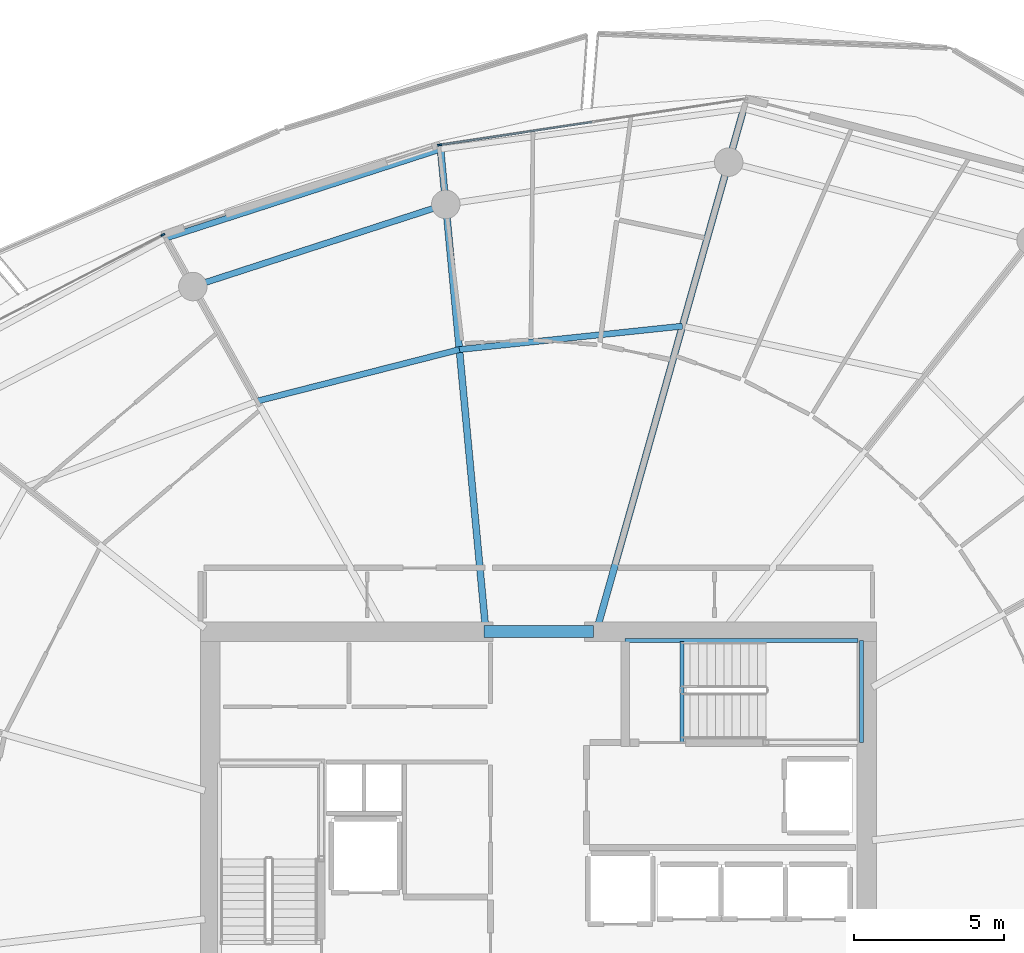
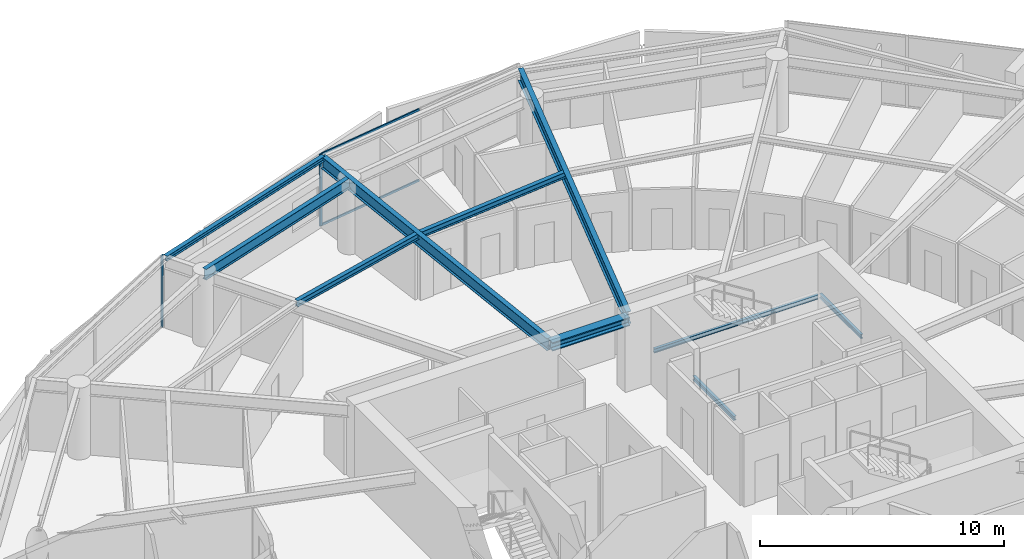
# One storey, part 12 of 30: 10 beams, 4 members, 2 elements without a shape of their own.
"""IFC4 building model written with IfcOpenShell, lengths in metres."""

from ifc_helpers import new_model, si_unit, direction, frame, origin, origin_2d, place, context, subcontext, project, spatial, rectangle, i_section, extrude, material, layer, layer_set, material_profile, profile_set, type_object, element, aggregate, save


model = new_model("IFC4")

# Units and contexts
model_context = context("Model", 3, precision=1e-05, world=origin(), true_north=direction((0.0, 1.0)))
body_context = subcontext(model_context, "Body", "Model", "MODEL_VIEW")
ifc_project = project(units=[si_unit("LENGTHUNIT", "METRE"), si_unit("AREAUNIT", "SQUARE_METRE"), si_unit("VOLUMEUNIT", "CUBIC_METRE"), si_unit("PLANEANGLEUNIT", "RADIAN"), si_unit("MASSUNIT", "GRAM", prefix="KILO")], contexts=[model_context])

# Site, building, storey
site_placement = place(None, origin())
site = spatial("IfcSite", under=ifc_project, at=site_placement, CompositionType="ELEMENT")
building_placement = place(site_placement, origin())
building = spatial("IfcBuilding", under=site, at=building_placement, Name="Kazma Halo Residences", CompositionType="ELEMENT")
storey_placement = place(building_placement, frame((0.0, 0.0, 255.949951171875)))
storey = spatial("IfcBuildingStorey", under=building, at=storey_placement, Name="L64", CompositionType="ELEMENT", Elevation=255.949951171875)

# Beams
ifc_material_1 = material(Name="Steel S355", Category="steel")
ifc_material_profile_1 = material_profile(ifc_material_1, i_section(OverallWidth=0.201904296875, OverallDepth=0.2470703125, WebThickness=0.00732421875, FlangeThickness=0.010986328125, FilletRadius=0.011962890625, at=origin_2d()), Name="W250x49.1")
ifc_profile_set_1 = profile_set([ifc_material_profile_1], Name="Steel S355")
beam_type_1 = type_object("IfcBeamType", Name="BM-BAL-CANT", PredefinedType="BEAM", material=ifc_profile_set_1)
beam_1_placement = place(storey_placement, frame((45.155517578125, 66.41259765625, 3.466552734375), z_axis=(-0.951357597741, -0.308088820344, 0.0), x_axis=(0.308088820344, -0.951357597741, 0.0)))
element("IfcBeam", 1, at=beam_1_placement, inside=storey, type_object=beam_type_1, Name="L64 wave-balcony tie beam 04", PredefinedType="BEAM", context=body_context, shape_type="SweptSolid", body=[
    extrude(i_section(OverallWidth=0.201904296875, OverallDepth=0.2470703125, WebThickness=0.00732421875, FlangeThickness=0.010986328125, FilletRadius=0.011962890625, at=origin_2d()), origin(), (0.0, 0.0, 1.0), 9.633544921875),
])
ifc_material_profile_2 = material_profile(ifc_material_1, i_section(OverallWidth=0.408935546875, OverallDepth=0.425048828125, WebThickness=0.03271484375, FlangeThickness=0.052490234375, FilletRadius=0.02001953125, at=origin_2d()), Name="W360x421")
ifc_profile_set_2 = profile_set([ifc_material_profile_2], Name="Steel S355")
beam_type_2 = type_object("IfcBeamType", Name="BM-CORE-W360H", PredefinedType="BEAM", material=ifc_profile_set_2)
beam_2_placement = place(storey_placement, frame((46.60009765625, 50.324951171875, 3.37744140625), z_axis=(1.0, 0.0, 0.0), x_axis=(0.0, 1.0, 0.0)))
element("IfcBeam", 2, at=beam_2_placement, inside=storey, type_object=beam_type_2, Name="L64 core coupling beam N", PredefinedType="BEAM", context=body_context, shape_type="SweptSolid", body=[
    extrude(i_section(OverallWidth=0.408935546875, OverallDepth=0.425048828125, WebThickness=0.03271484375, FlangeThickness=0.052490234375, FilletRadius=0.02001953125, at=origin_2d()), origin(), (0.0, 0.0, 1.0), 3.64990234375),
])
ifc_material_profile_3 = material_profile(ifc_material_1, i_section(OverallWidth=0.22802734375, OverallDepth=0.60791015625, WebThickness=0.01123046875, FlangeThickness=0.017333984375, FilletRadius=0.01806640625, at=origin_2d()), Name="W610x113")
ifc_profile_set_3 = profile_set([ifc_material_profile_3], Name="Steel S355")
beam_type_3 = type_object("IfcBeamType", Name="BM-RAD-W610", PredefinedType="BEAM", material=ifc_profile_set_3)
beam_3_placement = place(storey_placement, frame((50.397216796875, 50.5, 3.2861328125), z_axis=(0.271445290974, 0.962453871107, 0.0), x_axis=(-0.962453871107, 0.271445290974, 0.0)))
element("IfcBeam", 3, at=beam_3_placement, inside=storey, type_object=beam_type_3, Name="L64 radial floor beam 03", PredefinedType="BEAM", context=body_context, shape_type="SweptSolid", body=[
    extrude(i_section(OverallWidth=0.22802734375, OverallDepth=0.60791015625, WebThickness=0.01123046875, FlangeThickness=0.017333984375, FilletRadius=0.01806640625, at=origin_2d()), origin(), (0.0, 0.0, 1.0), 17.933349609375),
])
beam_4_placement = place(storey_placement, frame((46.64990234375, 50.5, 3.2861328125), z_axis=(-0.093500648044, 0.995619218786, 0.0), x_axis=(-0.995619218786, -0.093500648044, 0.0)))
element("IfcBeam", 4, at=beam_4_placement, inside=storey, type_object=beam_type_3, Name="L64 radial floor beam 04", PredefinedType="BEAM", context=body_context, shape_type="SweptSolid", body=[
    extrude(i_section(OverallWidth=0.22802734375, OverallDepth=0.60791015625, WebThickness=0.01123046875, FlangeThickness=0.017333984375, FilletRadius=0.01806640625, at=origin_2d()), origin(), (0.0, 0.0, 1.0), 15.982666015625),
])
ifc_material_profile_4 = material_profile(ifc_material_1, i_section(OverallWidth=0.202880859375, OverallDepth=0.302978515625, WebThickness=0.007568359375, FlangeThickness=0.01318359375, FilletRadius=0.013916015625, at=origin_2d()), Name="W310x60")
ifc_profile_set_4 = profile_set([ifc_material_profile_4], Name="Steel S355")
beam_type_4 = type_object("IfcBeamType", Name="BM-SEC-W310A", PredefinedType="JOIST", material=ifc_profile_set_4)
beam_5_placement = place(storey_placement, frame((53.220703125, 60.5107421875, 3.4384765625), z_axis=(-0.994528326067, -0.104467261141, 0.0), x_axis=(0.104467261141, -0.994528326067, 0.0)))
element("IfcBeam", 5, at=beam_5_placement, inside=storey, type_object=beam_type_4, Name="L64 circumferential floor joist 03", PredefinedType="JOIST", context=body_context, shape_type="SweptSolid", body=[
    extrude(i_section(OverallWidth=0.202880859375, OverallDepth=0.302978515625, WebThickness=0.007568359375, FlangeThickness=0.01318359375, FilletRadius=0.013916015625, at=origin_2d()), origin(), (0.0, 0.0, 1.0), 7.478515625),
])
beam_6_placement = place(storey_placement, frame((45.783203125, 59.7294921875, 3.4384765625), z_axis=(-0.968957746759, -0.2472263841, 0.0), x_axis=(0.2472263841, -0.968957746759, 0.0)))
element("IfcBeam", 6, at=beam_6_placement, inside=storey, type_object=beam_type_4, Name="L64 circumferential floor joist 04", PredefinedType="JOIST", context=body_context, shape_type="SweptSolid", body=[
    extrude(i_section(OverallWidth=0.202880859375, OverallDepth=0.302978515625, WebThickness=0.007568359375, FlangeThickness=0.01318359375, FilletRadius=0.013916015625, at=origin_2d()), origin(), (0.0, 0.0, 1.0), 6.9638671875),
])
ifc_material_profile_5 = material_profile(ifc_material_1, i_section(OverallWidth=0.208984375, OverallDepth=0.532958984375, WebThickness=0.01025390625, FlangeThickness=0.015625, FilletRadius=0.01611328125, at=origin_2d()), Name="W530x92")
ifc_profile_set_5 = profile_set([ifc_material_profile_5], Name="Steel S355")
beam_type_5 = type_object("IfcBeamType", Name="BM-SPN-W530", PredefinedType="BEAM", material=ifc_profile_set_5)
beam_7_placement = place(storey_placement, frame((45.32861328125, 64.57080078125, 3.323486328125), z_axis=(-0.951053893407, -0.309025066679, 0.0), x_axis=(0.309025066679, -0.951053893407, 0.0)))
element("IfcBeam", 7, at=beam_7_placement, inside=storey, type_object=beam_type_5, Name="L64 perimeter ring beam 04", PredefinedType="BEAM", context=body_context, shape_type="SweptSolid", body=[
    extrude(i_section(OverallWidth=0.208984375, OverallDepth=0.532958984375, WebThickness=0.01025390625, FlangeThickness=0.015625, FilletRadius=0.01611328125, at=origin_2d()), origin(), (0.0, 0.0, 1.0), 8.8681640625),
])
ifc_material_profile_6 = material_profile(ifc_material_1, i_section(OverallWidth=0.133056640625, OverallDepth=0.20703125, WebThickness=0.005859375, FlangeThickness=0.00830078125, FilletRadius=0.010009765625, at=origin_2d()), Name="W200x26.6")
ifc_profile_set_6 = profile_set([ifc_material_profile_6], Name="Steel S355")
beam_type_6 = type_object("IfcBeamType", Name="BM-TRIM-W200", PredefinedType="BEAM", material=ifc_profile_set_6)
beam_8_placement = place(storey_placement, frame((53.199951171875, 46.6201171875, -0.369873046875), z_axis=(0.0, 1.0, 0.0), x_axis=(-1.0, 0.0, 0.0)))
element("IfcBeam", 8, at=beam_8_placement, inside=storey, type_object=beam_type_6, Name="L64 ST-02 floor landing support beam", PredefinedType="BEAM", context=body_context, shape_type="SweptSolid", body=[
    extrude(i_section(OverallWidth=0.133056640625, OverallDepth=0.20703125, WebThickness=0.005859375, FlangeThickness=0.00830078125, FilletRadius=0.010009765625, at=origin_2d()), origin(), (0.0, 0.0, 1.0), 3.3798828125),
])
beam_9_placement = place(storey_placement, frame((51.31005859375, 50.02001953125, 1.6201171875), z_axis=(1.0, 0.0, 0.0), x_axis=(0.0, 1.0, 0.0)))
element("IfcBeam", 9, at=beam_9_placement, inside=storey, type_object=beam_type_6, Name="L64 ST-02 landing north wall ledger", PredefinedType="BEAM", context=body_context, shape_type="SweptSolid", body=[
    extrude(i_section(OverallWidth=0.133056640625, OverallDepth=0.20703125, WebThickness=0.005859375, FlangeThickness=0.00830078125, FilletRadius=0.010009765625, at=origin_2d()), origin(), (0.0, 0.0, 1.0), 7.760009765625),
])
beam_10_placement = place(storey_placement, frame((59.18994140625, 46.6201171875, 1.6201171875), z_axis=(0.0, 1.0, 0.0), x_axis=(-1.0, 0.0, 0.0)))
element("IfcBeam", 10, at=beam_10_placement, inside=storey, type_object=beam_type_6, Name="L64 ST-02 landing end wall ledger", PredefinedType="BEAM", context=body_context, shape_type="SweptSolid", body=[
    extrude(i_section(OverallWidth=0.133056640625, OverallDepth=0.20703125, WebThickness=0.005859375, FlangeThickness=0.00830078125, FilletRadius=0.010009765625, at=origin_2d()), origin(), (0.0, 0.0, 1.0), 3.39990234375),
])

# Curtain wall, member
ifc_material_2 = material(Name="Aluminium AW-6063 T6 and Triple-Silver Low-E Glass", Category="aluminium")
ifc_layer = layer(ifc_material_2, 0.139892578125)
ifc_layer_set = layer_set([ifc_layer], Name="Aluminium AW-6063 T6 and Triple-Silver Low-E Glass")
curtain_wall_type = type_object("IfcCurtainWallType", Name="CW-SYS-5", PredefinedType="NOTDEFINED", material=ifc_layer_set)
curtain_wall_1_placement = place(storey_placement, origin())
curtain_wall_1 = element("IfcCurtainWall", 11, at=curtain_wall_1_placement, inside=storey, type_object=curtain_wall_type, Name="L64 unitised curtain wall B03", PredefinedType="NOTDEFINED")
ifc_material_3 = material(Name="Aluminium AW-6063 T6", Category="aluminium")
ifc_material_profile_7 = material_profile(ifc_material_3, rectangle(XDim=0.06005859375, YDim=0.139892578125, at=origin_2d()), Name="CWM-60x140")
ifc_profile_set_7 = profile_set([ifc_material_profile_7], Name="Aluminium AW-6063 T6")
member_type_1 = type_object("IfcMemberType", Name="CW-SYS-5-MUL", PredefinedType="MULLION", material=ifc_profile_set_7)
member_1_placement = place(storey_placement, frame((45.124267578125, 66.552734375, 0.0), z_axis=(0.0, 0.0, 1.0), x_axis=(0.148697080374, -0.988882792998, 0.0)))
member_1 = element("IfcMember", 12, at=member_1_placement, type_object=member_type_1, Name="CWS-5 mullion 3", PredefinedType="MULLION", context=body_context, shape_type="SweptSolid", body=[
    extrude(rectangle(XDim=0.06005859375, YDim=0.139892578125, at=origin_2d()), origin(), (0.0, 0.0, 1.0), 3.590087890625),
])

curtain_wall_2_placement = place(storey_placement, origin())
curtain_wall_2 = element("IfcCurtainWall", 13, at=curtain_wall_2_placement, inside=storey, type_object=curtain_wall_type, Name="L64 unitised curtain wall B05", PredefinedType="NOTDEFINED")
member_2_placement = place(storey_placement, frame((35.894775390625, 63.553955078125, 0.0), z_axis=(0.0, 0.0, 1.0), x_axis=(0.460960760804, -0.887420518694, 0.0)))
member_2 = element("IfcMember", 14, at=member_2_placement, type_object=member_type_1, Name="CWS-5 mullion 1", PredefinedType="MULLION", context=body_context, shape_type="SweptSolid", body=[
    extrude(rectangle(XDim=0.06005859375, YDim=0.139892578125, at=origin_2d()), origin(), (0.0, 0.0, 1.0), 3.590087890625),
])
aggregate(curtain_wall_2, [member_2])

# Member
ifc_material_profile_8 = material_profile(ifc_material_3, rectangle(XDim=0.06005859375, YDim=0.10498046875, at=origin_2d()), Name="CWT-60x105")
ifc_profile_set_8 = profile_set([ifc_material_profile_8], Name="Aluminium AW-6063 T6")
member_type_2 = type_object("IfcMemberType", Name="CW-SYS-5-TRN", PredefinedType="USERDEFINED", material=ifc_profile_set_8)
member_3_placement = place(storey_placement, frame((50.19677734375, 67.3154296875, 0.030029296875), z_axis=(-0.988882913569, -0.148696278541, 0.0), x_axis=(0.148696278541, -0.988882913569, 0.0)))
member_3 = element("IfcMember", 15, at=member_3_placement, type_object=member_type_2, Name="CWS-5 transom 2.1", ObjectType="TRANSOM", PredefinedType="USERDEFINED", context=body_context, shape_type="SweptSolid", body=[
    extrude(rectangle(XDim=0.06005859375, YDim=0.10498046875, at=origin_2d()), origin(), (0.0, 0.0, 1.0), 5.099609375),
])

member_4_placement = place(storey_placement, frame((50.19677734375, 67.3154296875, 3.56005859375), z_axis=(-0.988882913569, -0.148696278541, 0.0), x_axis=(0.148696278541, -0.988882913569, 0.0)))
member_4 = element("IfcMember", 16, at=member_4_placement, type_object=member_type_2, Name="CWS-5 transom 2.2", ObjectType="TRANSOM", PredefinedType="USERDEFINED", context=body_context, shape_type="SweptSolid", body=[
    extrude(rectangle(XDim=0.06005859375, YDim=0.10498046875, at=origin_2d()), origin(), (0.0, 0.0, 1.0), 5.099609375),
])

aggregate(curtain_wall_1, [member_1, member_3, member_4])

save(model, "model.ifc")
